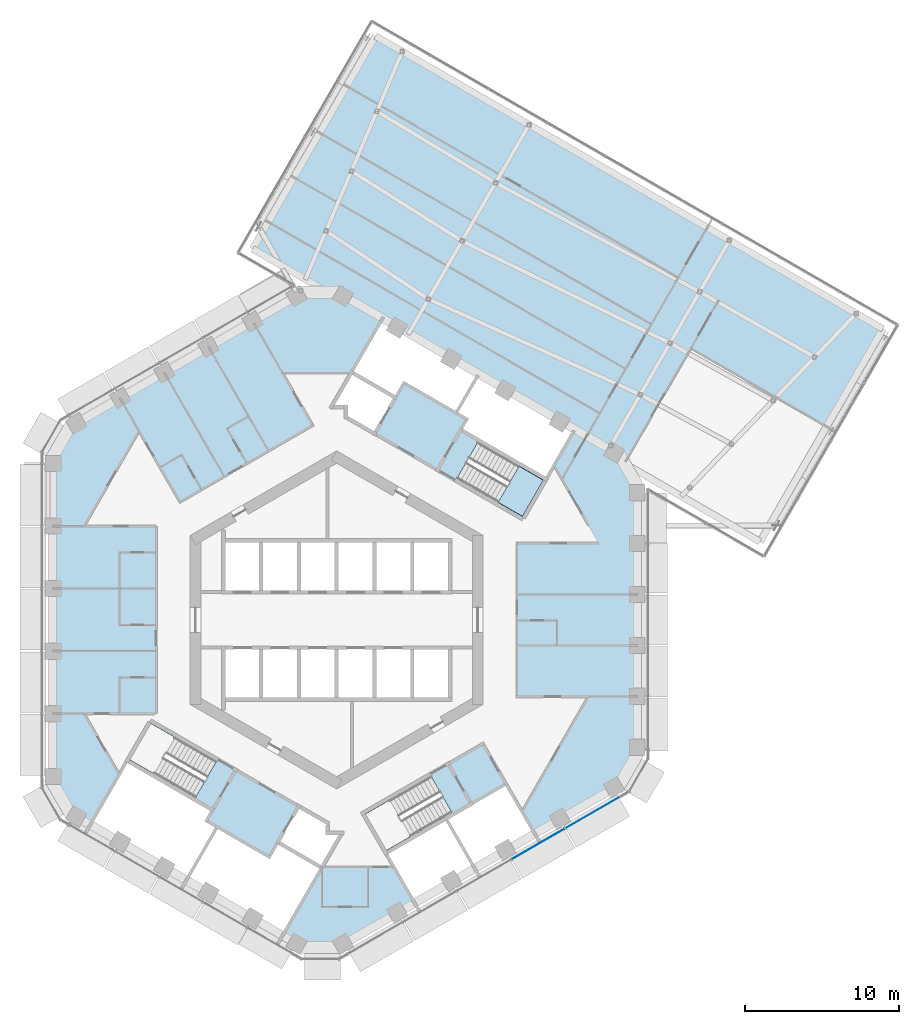
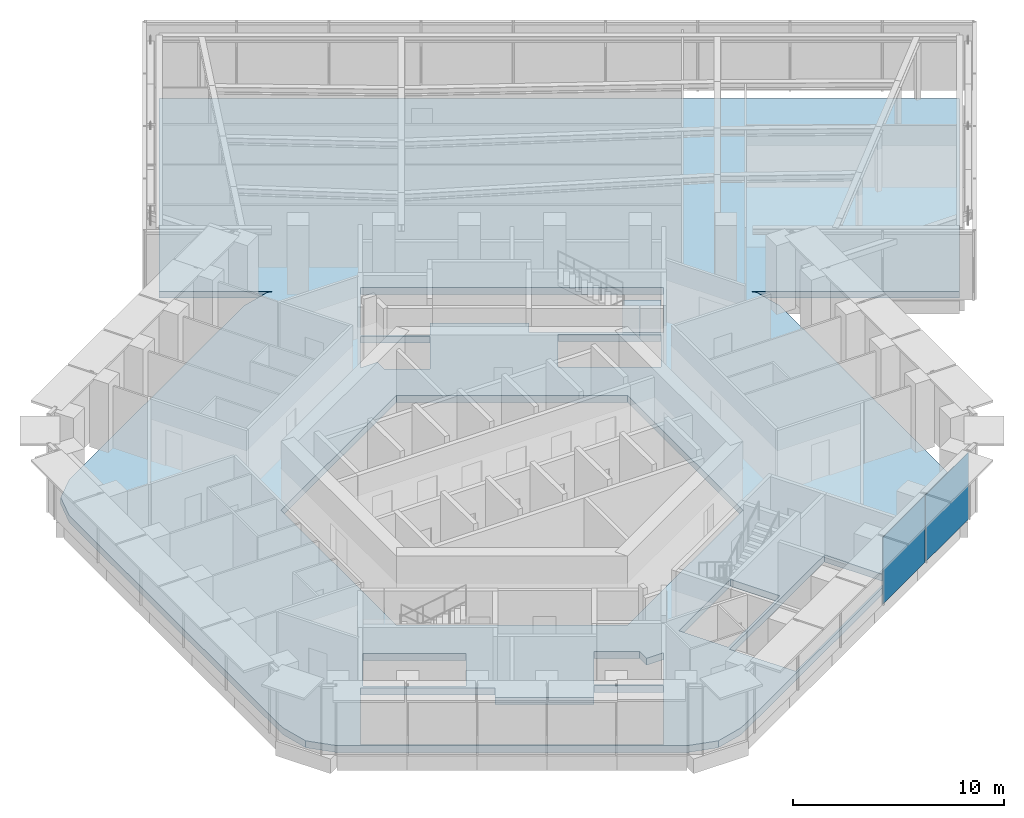
# One storey, part 13 of 28: 2 plates, 2 slabs, 2 elements without a shape of their own.
"""IFC4 building model written with IfcOpenShell, lengths in metres."""

from ifc_helpers import new_model, si_unit, direction, frame, origin, origin_2d, place, context, subcontext, project, spatial, polyline, rectangle, outline, extrude, material, layer, layer_set, type_object, element, aggregate, save


model = new_model("IFC4")

# Units and contexts
model_context = context("Model", 3, precision=1e-05, world=origin(), true_north=direction((0.0, 1.0)))
body_context = subcontext(model_context, "Body", "Model", "MODEL_VIEW")
ifc_project = project(units=[si_unit("LENGTHUNIT", "METRE"), si_unit("AREAUNIT", "SQUARE_METRE"), si_unit("VOLUMEUNIT", "CUBIC_METRE"), si_unit("PLANEANGLEUNIT", "RADIAN"), si_unit("MASSUNIT", "GRAM", prefix="KILO")], contexts=[model_context])

# Site, building, storey
site_placement = place(None, origin())
site = spatial("IfcSite", under=ifc_project, at=site_placement, CompositionType="ELEMENT")
building_placement = place(site_placement, origin())
building = spatial("IfcBuilding", under=site, at=building_placement, Name="Ayvan Gate Tower", CompositionType="ELEMENT")
storey_placement = place(building_placement, frame((0.0, 0.0, 143.89990234375)))
storey = spatial("IfcBuildingStorey", under=building, at=storey_placement, Name="L38", CompositionType="ELEMENT", Elevation=143.89990234375)

# Slab
ifc_material_1 = material(Name="Concrete C40/50", Category="concrete")
ifc_layer_1 = layer(ifc_material_1, 0.39990234375)
ifc_layer_set_1 = layer_set([ifc_layer_1], Name="Concrete C40/50")
slab_type_1 = type_object("IfcSlabType", Name="Post-tensioned flat slab 400", PredefinedType="FLOOR", material=ifc_layer_set_1)
slab_1_placement = place(storey_placement, frame((0.0, 0.0, -0.39990234375)))
element("IfcSlab", 1, at=slab_1_placement, inside=storey, type_object=slab_type_1, Name="SL-L38", PredefinedType="FLOOR", context=body_context, shape_type="SweptSolid", body=[
    extrude(outline(polyline([(-18.0224609375, -11.630615234375), (-18.42431640625, -10.130615234375), (-18.42431640625, 10.130615234375), (-18.0224609375, 11.630615234375), (-16.92431640625, 12.728759765625), (-2.561279296875, 21.021240234375), (-1.061279296875, 21.423095703125), (-0.680908203125, 21.3212890625), (-5.44384765625, 24.071044921875), (2.526123046875, 37.875244140625), (35.43505859375, 18.875244140625), (27.465087890625, 5.071044921875), (18.80517578125, 10.071044921875), (19.083740234375, 9.79248046875), (19.485595703125, 8.29248046875), (19.485595703125, -8.29248046875), (19.083740234375, -9.79248046875), (17.985595703125, -10.890625), (0.438720703125, -21.021240234375), (-1.061279296875, -21.423095703125), (-2.561279296875, -21.021240234375), (-16.92431640625, -12.728759765625), (-18.0224609375, -11.630615234375)]), holes=[polyline([(8.44287109375, 13.0234375), (8.042724609375, 12.33056640625), (13.58544921875, 9.130615234375), (14.100830078125, 10.023193359375), (15.447509765625, 12.35595703125), (9.212158203125, 15.955810546875), (2.976806640625, 19.555908203125), (1.0146484375, 16.157470703125), (3.87255859375, 14.50732421875), (4.37255859375, 15.373291015625), (7.75, 13.42333984375), (8.44287109375, 13.0234375)]), polyline([(7.80615234375, 9.170654296875), (12.049560546875, 6.720458984375), (13.404541015625, 9.0673828125), (9.1611328125, 11.517578125), (7.80615234375, 9.170654296875)]), polyline([(3.701904296875, -16.01171875), (5.005126953125, -18.269287109375), (12.799560546875, -13.769287109375), (10.9873046875, -10.630615234375), (8.735595703125, -11.9306640625), (7.090087890625, -12.880615234375), (3.193115234375, -15.130615234375), (3.701904296875, -16.01171875)]), polyline([(-9.5, -5.48486328125), (0.0, -10.9697265625), (9.5, -5.48486328125), (9.5, 5.48486328125), (0.0, 10.9697265625), (-9.5, 5.48486328125), (-9.5, -5.48486328125)]), polyline([(6.117431640625, -10.1455078125), (1.873779296875, -12.595458984375), (3.228759765625, -14.9423828125), (7.472412109375, -12.492431640625), (6.117431640625, -10.1455078125)]), polyline([(0.964599609375, 16.07080078125), (-0.340576171875, 13.81005859375), (0.60009765625, 13.81005859375), (0.60009765625, 13.16357421875), (2.472412109375, 12.08251953125), (3.822509765625, 14.420654296875), (0.964599609375, 16.07080078125)]), polyline([(-0.60009765625, -13.16357421875), (-2.472412109375, -12.08251953125), (-3.822509765625, -14.420654296875), (-0.964599609375, -16.07080078125), (-0.937255859375, -16.023193359375), (0.340576171875, -13.81005859375), (-0.60009765625, -13.81005859375), (-0.60009765625, -13.16357421875)]), polyline([(-15.92822265625, -13.1884765625), (-3.45751953125, -20.388427734375), (-1.0146484375, -16.157470703125), (-3.87255859375, -14.50732421875), (-4.37255859375, -15.373291015625), (-7.77587890625, -13.408447265625), (-8.44287109375, -13.0234375), (-8.042724609375, -12.33056640625), (-13.58544921875, -9.130615234375), (-13.9638671875, -9.785888671875), (-14.100830078125, -10.023193359375), (-15.92822265625, -13.1884765625)]), polyline([(-13.404541015625, -9.0673828125), (-9.1611328125, -11.517578125), (-7.80615234375, -9.170654296875), (-12.049560546875, -6.720458984375), (-13.404541015625, -9.0673828125)])]), origin(), (0.0, 0.0, 1.0), 0.39990234375),
])

# Stair, slab
stair_type = type_object("IfcStairType", Name="ST-EXIT", PredefinedType="HALF_TURN_STAIR", material=ifc_material_1)
stair_placement = place(storey_placement, origin())
stair = element("IfcStair", 2, at=stair_placement, inside=storey, type_object=stair_type, Name="L38 Exit Stair S1", PredefinedType="HALF_TURN_STAIR")
ifc_layer_2 = layer(ifc_material_1, 0.199951171875)
ifc_layer_set_2 = layer_set([ifc_layer_2], Name="Concrete C40/50")
slab_type_2 = type_object("IfcSlabType", Name="SL-LANDING-200", PredefinedType="LANDING", material=ifc_layer_set_2)
slab_2_placement = place(storey_placement, frame((0.0, 0.0, 1.800048828125)))
slab_2 = element("IfcSlab", 3, at=slab_2_placement, type_object=slab_type_2, Name="STS1 landing 1", PredefinedType="LANDING", context=body_context, shape_type="SweptSolid", body=[
    extrude(outline(polyline([(10.473388671875, 7.630615234375), (12.049560546875, 6.720458984375), (13.404541015625, 9.0673828125), (11.828369140625, 9.9775390625), (10.473388671875, 7.630615234375)])), origin(), (0.0, 0.0, 1.0), 0.199951171875),
])
aggregate(stair, [slab_2])

# Curtain wall, plates
ifc_material_2 = material(Name="Bronze anodised aluminium", Category="aluminium")
ifc_layer_3 = layer(ifc_material_2, 0.199951171875)
ifc_layer_set_3 = layer_set([ifc_layer_3], Name="Bronze anodised aluminium")
curtain_wall_type = type_object("IfcCurtainWallType", Name="Stick curtain wall CW-1", PredefinedType="NOTDEFINED", material=ifc_layer_set_3)
curtain_wall_placement = place(storey_placement, origin())
curtain_wall = element("IfcCurtainWall", 4, at=curtain_wall_placement, inside=storey, type_object=curtain_wall_type, Name="Stick curtain wall CW-1 L38", PredefinedType="NOTDEFINED")
ifc_material_3 = material(Name="Clear low-iron laminated glass", Category="glass")
ifc_layer_4 = layer(ifc_material_3, 0.028076171875)
ifc_layer_set_4 = layer_set([ifc_layer_4], Name="Clear low-iron laminated glass")
plate_type = type_object("IfcPlateType", Name="Stick curtain wall CW-1 glass panel", PredefinedType="CURTAIN_PANEL", material=ifc_layer_set_4)
plate_1_placement = place(storey_placement, frame((13.078369140625, -14.531982421875, 0.000244140625), z_axis=(0.0, 0.0, 1.0), x_axis=(0.866025403784, 0.5, 0.0)))
plate_1 = element("IfcPlate", 5, at=plate_1_placement, type_object=plate_type, Name="CW-1 glass panel 4", PredefinedType="CURTAIN_PANEL", context=body_context, shape_type="SweptSolid", body=[
    extrude(rectangle(XDim=4.0, YDim=0.028076171875, at=origin_2d()), origin(), (0.0, 0.0, 1.0), 3.8798828125),
])
plate_2_placement = place(storey_placement, frame((16.6259765625, -12.48388671875, 0.000244140625), z_axis=(0.0, 0.0, 1.0), x_axis=(0.866025403784, 0.5, 0.0)))
plate_2 = element("IfcPlate", 6, at=plate_2_placement, type_object=plate_type, Name="CW-1 glass panel 5", PredefinedType="CURTAIN_PANEL", context=body_context, shape_type="SweptSolid", body=[
    extrude(rectangle(XDim=4.07275390625, YDim=0.028076171875, at=origin_2d()), origin(), (0.0, 0.0, 1.0), 3.8798828125),
])
aggregate(curtain_wall, [plate_1, plate_2])

save(model, "model.ifc")
